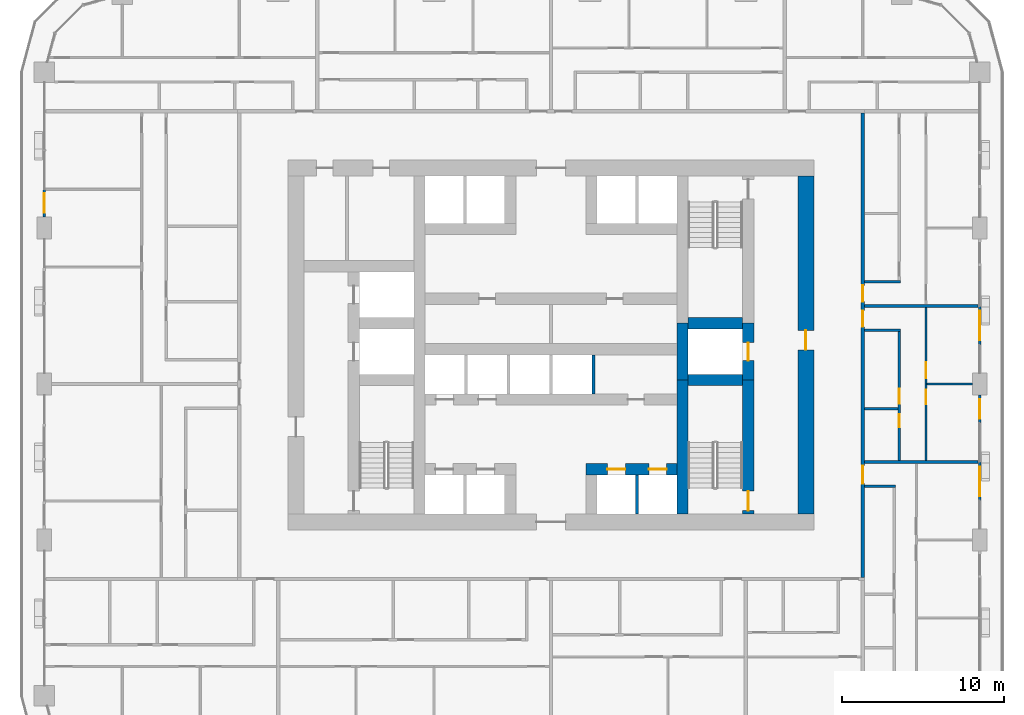
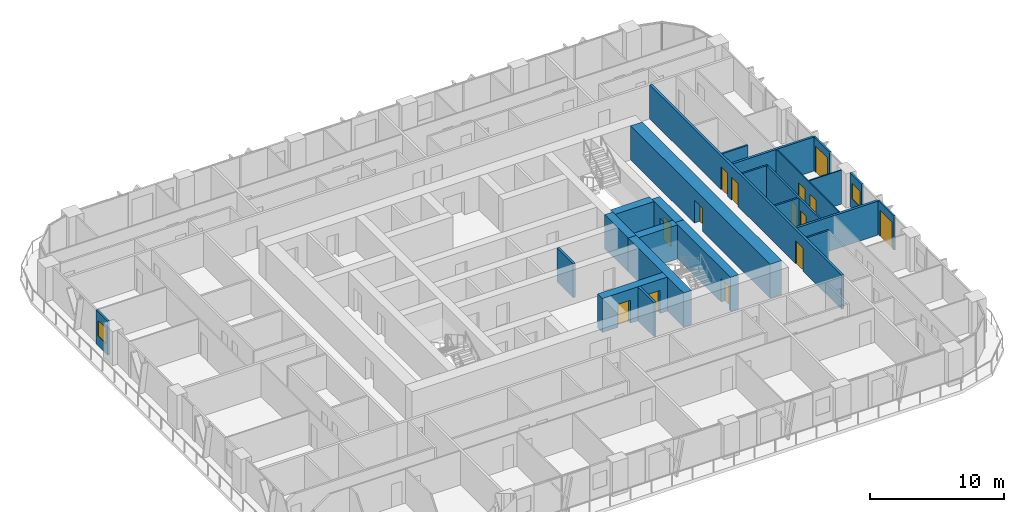
# One storey, part 12 of 21: 24 walls, 14 doors, 2 windows, 16 openings.
"""IFC4 building model written with IfcOpenShell, lengths in metres."""

from ifc_helpers import new_model, si_unit, direction, frame, frame_2d, origin, place, context, subcontext, project, spatial, rectangle, extrude, material, layer, layer_set, type_object, element, fill, save


model = new_model("IFC4")

# Units and contexts
model_context = context("Model", 3, precision=1e-05, world=origin(), true_north=direction((0.0, 1.0)))
body_context = subcontext(model_context, "Body", "Model", "MODEL_VIEW")
ifc_project = project(units=[si_unit("LENGTHUNIT", "METRE"), si_unit("AREAUNIT", "SQUARE_METRE"), si_unit("VOLUMEUNIT", "CUBIC_METRE"), si_unit("PLANEANGLEUNIT", "RADIAN"), si_unit("MASSUNIT", "GRAM", prefix="KILO")], contexts=[model_context])

# Site, building, storey
site_placement = place(None, origin())
site = spatial("IfcSite", under=ifc_project, at=site_placement, CompositionType="ELEMENT")
building_placement = place(site_placement, origin())
building = spatial("IfcBuilding", under=site, at=building_placement, Name="Madar Terraces", CompositionType="ELEMENT")
storey_placement = place(building_placement, frame((0.0, 0.0, 50.39990234375)))
storey = spatial("IfcBuildingStorey", under=building, at=storey_placement, Name="L12", CompositionType="ELEMENT", Elevation=50.39990234375)

# Walls
ifc_material_1 = material(Name="Concrete C80/95", Category="concrete")
ifc_layer_1 = layer(ifc_material_1, 0.699951171875)
ifc_layer_set_1 = layer_set([ifc_layer_1], Name="Concrete C80/95 (CIW1 RC wall 700)")
wall_type_1 = type_object("IfcWallType", Name="CIW1 RC wall 700", PredefinedType="SHEAR", material=ifc_layer_set_1)
wall_1_placement = place(storey_placement, frame((39.300048828125, 16.0, 0.0), z_axis=(0.0, 0.0, 1.0), x_axis=(0.0, 1.0, 0.0)))
element("IfcWall", 1, at=wall_1_placement, inside=storey, type_object=wall_type_1, Name="CORE SHAFT WALL", PredefinedType="SHEAR", context=body_context, shape_type="SweptSolid", body=[
    extrude(rectangle(XDim=8.25, YDim=0.699951171875, at=frame_2d((4.125, 0.0))), origin(), (0.0, 0.0, 1.0), 3.10009765625),
])
wall_2_placement = place(storey_placement, frame((39.300048828125, 24.25, 0.0), z_axis=(0.0, 0.0, 1.0), x_axis=(0.0, 1.0, 0.0)))
element("IfcWall", 2, at=wall_2_placement, inside=storey, type_object=wall_type_1, Name="CORE SHAFT WALL", PredefinedType="SHEAR", context=body_context, shape_type="SweptSolid", body=[
    extrude(rectangle(XDim=3.5, YDim=0.699951171875, at=frame_2d((1.75, 0.0))), origin(), (0.0, 0.0, 1.0), 3.10009765625),
])

# Wall, opening, door
wall_3_placement = place(storey_placement, frame((43.35009765625, 16.0, 0.0), z_axis=(0.0, 0.0, 1.0), x_axis=(0.0, 1.0, 0.0)))
wall_3 = element("IfcWall", 3, at=wall_3_placement, inside=storey, type_object=wall_type_1, Name="CORE SHAFT WALL", PredefinedType="SHEAR", context=body_context, shape_type="SweptSolid", body=[
    extrude(rectangle(XDim=8.25, YDim=0.699951171875, at=frame_2d((4.125, 0.0))), origin(), (0.0, 0.0, 1.0), 3.10009765625),
])
opening_1_placement = place(wall_3_placement, frame((0.199951171875, 0.0, 0.0)))
opening_1 = element("IfcOpeningElement", 4, at=opening_1_placement, cuts=wall_3, Name="Opening SD1", PredefinedType="OPENING", context=body_context, shape_type="SweptSolid", body=[
    extrude(rectangle(XDim=1.199951171875, YDim=2.10009765625, at=frame_2d((0.60009765625, 1.050048828125))), frame((0.0, 0.35986328125, 0.0), z_axis=(0.0, -1.0, 0.0), x_axis=(1.0, 0.0, 0.0)), (0.0, 0.0, 1.0), 0.719970703125),
])
ifc_material_2 = material(Name="Steel door leaf", Category="steel")
door_type_1 = type_object("IfcDoorType", Name="Stair door 1200 x 2100", OperationType="NOTDEFINED", PredefinedType="DOOR", material=ifc_material_2)
door_1_placement = place(opening_1_placement, origin())
door_1 = element("IfcDoor", 5, at=door_1_placement, inside=storey, type_object=door_type_1, Name="STAIR DOOR", OperationType="SINGLE_SWING_LEFT", OverallHeight=2.10009765625, OverallWidth=1.199951171875, PredefinedType="DOOR", context=body_context, shape_type="SweptSolid", body=[
    extrude(rectangle(XDim=1.199951171875, YDim=2.10009765625, at=frame_2d((0.60009765625, 1.050048828125))), frame((0.0, 0.02490234375, 0.0), z_axis=(0.0, -1.0, 0.0), x_axis=(1.0, 0.0, 0.0)), (0.0, 0.0, 1.0), 0.050048828125),
])
fill(opening_1, door_1)

wall_4_placement = place(storey_placement, frame((43.35009765625, 24.25, 0.0), z_axis=(0.0, 0.0, 1.0), x_axis=(0.0, 1.0, 0.0)))
wall_4 = element("IfcWall", 6, at=wall_4_placement, inside=storey, type_object=wall_type_1, Name="CORE SHAFT WALL", PredefinedType="SHEAR", context=body_context, shape_type="SweptSolid", body=[
    extrude(rectangle(XDim=3.5, YDim=0.699951171875, at=frame_2d((1.75, 0.0))), origin(), (0.0, 0.0, 1.0), 3.10009765625),
])
opening_2_placement = place(wall_4_placement, frame((1.199951171875, 0.0, 0.0)))
opening_2 = element("IfcOpeningElement", 7, at=opening_2_placement, cuts=wall_4, Name="Opening LD", PredefinedType="OPENING", context=body_context, shape_type="SweptSolid", body=[
    extrude(rectangle(XDim=1.10009765625, YDim=2.10009765625, at=frame_2d((0.550048828125, 1.050048828125))), frame((0.0, 0.35986328125, 0.0), z_axis=(0.0, -1.0, 0.0), x_axis=(1.0, 0.0, 0.0)), (0.0, 0.0, 1.0), 0.719970703125),
])
ifc_material_3 = material(Name="Stainless steel panel", Category="steel")
door_type_2 = type_object("IfcDoorType", Name="Lift landing door 1100 x 2100", OperationType="DOUBLE_DOOR_SLIDING", PredefinedType="DOOR", material=ifc_material_3)
door_2_placement = place(opening_2_placement, origin())
door_2 = element("IfcDoor", 8, at=door_2_placement, inside=storey, type_object=door_type_2, Name="LIFT LANDING DOOR", OperationType="DOUBLE_DOOR_SLIDING", OverallHeight=2.10009765625, OverallWidth=1.10009765625, PredefinedType="DOOR", context=body_context, shape_type="SweptSolid", body=[
    extrude(rectangle(XDim=1.10009765625, YDim=2.10009765625, at=frame_2d((0.550048828125, 1.050048828125))), frame((0.0, 0.02490234375, 0.0), z_axis=(0.0, -1.0, 0.0), x_axis=(1.0, 0.0, 0.0)), (0.0, 0.0, 1.0), 0.050048828125),
])
fill(opening_2, door_2)

# Walls
for number, where, z_axis, x_axis, name in (
    (9, (39.64990234375, 24.25, 0.0), (0.0, 0.0, 1.0), (1.0, 0.0, 0.0), "CORE SHAFT WALL"),
    (10, (39.64990234375, 27.75, 0.0), (0.0, 0.0, 1.0), (1.0, 0.0, 0.0), "CORE SHAFT WALL"),
):
    element("IfcWall", number, at=place(storey_placement, frame(where, z_axis=z_axis, x_axis=x_axis)), inside=storey, type_object=wall_type_1, Name=name, PredefinedType="SHEAR", context=body_context, shape_type="SweptSolid", body=[
        extrude(rectangle(XDim=3.35009765625, YDim=0.699951171875, at=frame_2d((1.675048828125, 0.0))), origin(), (0.0, 0.0, 1.0), 3.10009765625),
    ])

# Wall, openings, doors
wall_5_placement = place(storey_placement, frame((33.35009765625, 18.75, 0.0), z_axis=(0.0, 0.0, 1.0), x_axis=(1.0, 0.0, 0.0)))
wall_5 = element("IfcWall", 11, at=wall_5_placement, inside=storey, type_object=wall_type_1, Name="CORE SHAFT WALL", PredefinedType="SHEAR", context=body_context, shape_type="SweptSolid", body=[
    extrude(rectangle(XDim=5.599853515625, YDim=0.699951171875, at=frame_2d((2.7998046875, 0.0))), origin(), (0.0, 0.0, 1.0), 3.10009765625),
])
opening_3_placement = place(wall_5_placement, frame((1.324951171875, 0.0, 0.0)))
opening_3 = element("IfcOpeningElement", 12, at=opening_3_placement, cuts=wall_5, Name="Opening LD", PredefinedType="OPENING", context=body_context, shape_type="SweptSolid", body=[
    extrude(rectangle(XDim=1.10009765625, YDim=2.10009765625, at=frame_2d((0.550048828125, 1.050048828125))), frame((0.0, 0.35986328125, 0.0), z_axis=(0.0, -1.0, 0.0), x_axis=(1.0, 0.0, 0.0)), (0.0, 0.0, 1.0), 0.719970703125),
])
opening_4_placement = place(wall_5_placement, frame((3.875, 0.0, 0.0)))
opening_4 = element("IfcOpeningElement", 13, at=opening_4_placement, cuts=wall_5, Name="Opening LD", PredefinedType="OPENING", context=body_context, shape_type="SweptSolid", body=[
    extrude(rectangle(XDim=1.10009765625, YDim=2.10009765625, at=frame_2d((0.550048828125, 1.050048828125))), frame((0.0, 0.35986328125, 0.0), z_axis=(0.0, -1.0, 0.0), x_axis=(1.0, 0.0, 0.0)), (0.0, 0.0, 1.0), 0.719970703125),
])
door_3_placement = place(opening_3_placement, origin())
door_3 = element("IfcDoor", 14, at=door_3_placement, inside=storey, type_object=door_type_2, Name="LIFT LANDING DOOR", OperationType="DOUBLE_DOOR_SLIDING", OverallHeight=2.10009765625, OverallWidth=1.10009765625, PredefinedType="DOOR", context=body_context, shape_type="SweptSolid", body=[
    extrude(rectangle(XDim=1.10009765625, YDim=2.10009765625, at=frame_2d((0.550048828125, 1.050048828125))), frame((0.0, 0.02490234375, 0.0), z_axis=(0.0, -1.0, 0.0), x_axis=(1.0, 0.0, 0.0)), (0.0, 0.0, 1.0), 0.050048828125),
])
fill(opening_3, door_3)
door_4_placement = place(opening_4_placement, origin())
door_4 = element("IfcDoor", 15, at=door_4_placement, inside=storey, type_object=door_type_2, Name="LIFT LANDING DOOR", OperationType="DOUBLE_DOOR_SLIDING", OverallHeight=2.10009765625, OverallWidth=1.10009765625, PredefinedType="DOOR", context=body_context, shape_type="SweptSolid", body=[
    extrude(rectangle(XDim=1.10009765625, YDim=2.10009765625, at=frame_2d((0.550048828125, 1.050048828125))), frame((0.0, 0.02490234375, 0.0), z_axis=(0.0, -1.0, 0.0), x_axis=(1.0, 0.0, 0.0)), (0.0, 0.0, 1.0), 0.050048828125),
])
fill(opening_4, door_4)

# Wall, opening, door
ifc_material_4 = material(Name="Concrete C80/95", Category="concrete")
ifc_layer_2 = layer(ifc_material_4, 1.0)
ifc_layer_set_2 = layer_set([ifc_layer_2], Name="Concrete C80/95 (CRW1 RC wall 1000)")
wall_type_2 = type_object("IfcWallType", Name="CRW1 RC wall 1000", PredefinedType="SHEAR", material=ifc_layer_set_2)
wall_6_placement = place(storey_placement, frame((46.89990234375, 16.0, 0.0), z_axis=(0.0, 0.0, 1.0), x_axis=(0.0, 1.0, 0.0)))
wall_6 = element("IfcWall", 16, at=wall_6_placement, inside=storey, type_object=wall_type_2, Name="CORE OUTER WALL", PredefinedType="SHEAR", context=body_context, shape_type="SweptSolid", body=[
    extrude(rectangle(XDim=20.800048828125, YDim=1.0, at=frame_2d((10.39990234375, 0.0))), origin(), (0.0, 0.0, 1.0), 3.10009765625),
])
opening_5_placement = place(wall_6_placement, frame((10.10009765625, 0.0, 0.0)))
opening_5 = element("IfcOpeningElement", 17, at=opening_5_placement, cuts=wall_6, Name="Opening SD1", PredefinedType="OPENING", context=body_context, shape_type="SweptSolid", body=[
    extrude(rectangle(XDim=1.199951171875, YDim=2.10009765625, at=frame_2d((0.60009765625, 1.050048828125))), frame((0.0, 0.510009765625, 0.0), z_axis=(0.0, -1.0, 0.0), x_axis=(1.0, 0.0, 0.0)), (0.0, 0.0, 1.0), 1.02001953125),
])
door_5_placement = place(opening_5_placement, origin())
door_5 = element("IfcDoor", 18, at=door_5_placement, inside=storey, type_object=door_type_1, Name="STAIR DOOR", OperationType="SINGLE_SWING_RIGHT", OverallHeight=2.10009765625, OverallWidth=1.199951171875, PredefinedType="DOOR", context=body_context, shape_type="SweptSolid", body=[
    extrude(rectangle(XDim=1.199951171875, YDim=2.10009765625, at=frame_2d((0.60009765625, 1.050048828125))), frame((0.0, 0.02490234375, 0.0), z_axis=(0.0, -1.0, 0.0), x_axis=(1.0, 0.0, 0.0)), (0.0, 0.0, 1.0), 0.050048828125),
])
fill(opening_5, door_5)

# Walls
ifc_material_5 = material(Name="Concrete C40/50", Category="concrete")
ifc_layer_3 = layer(ifc_material_5, 0.199951171875)
ifc_layer_set_3 = layer_set([ifc_layer_3], Name="Core shaft dividing wall 200 C40/50")
wall_type_3 = type_object("IfcWallType", Name="Core shaft dividing wall 200 C40/50", PredefinedType="SOLIDWALL", material=ifc_layer_set_3)
wall_7_placement = place(storey_placement, frame((33.816650390625, 23.39990234375, 0.0), z_axis=(0.0, 0.0, 1.0), x_axis=(0.0, 1.0, 0.0)))
element("IfcWall", 19, at=wall_7_placement, inside=storey, type_object=wall_type_3, Name="SHAFT DIVIDING WALL", PredefinedType="SOLIDWALL", context=body_context, shape_type="SweptSolid", body=[
    extrude(rectangle(XDim=2.400146484375, YDim=0.199951171875, at=frame_2d((1.2001953125, 0.0))), origin(), (0.0, 0.0, 1.0), 3.10009765625),
])
wall_8_placement = place(storey_placement, frame((36.5, 16.0, 0.0), z_axis=(0.0, 0.0, 1.0), x_axis=(0.0, 1.0, 0.0)))
element("IfcWall", 20, at=wall_8_placement, inside=storey, type_object=wall_type_3, Name="SHAFT DIVIDING WALL", PredefinedType="SOLIDWALL", context=body_context, shape_type="SweptSolid", body=[
    extrude(rectangle(XDim=2.39990234375, YDim=0.199951171875, at=frame_2d((1.199951171875, 0.0))), origin(), (0.0, 0.0, 1.0), 3.10009765625),
])

# Wall, opening, door
ifc_material_6 = material(Name="Aluminium composite panel, black, over insulated backing", Category="aluminium")
ifc_layer_4 = layer(ifc_material_6, 0.14990234375)
ifc_layer_set_4 = layer_set([ifc_layer_4], Name="Facade bay panel 150")
wall_type_4 = type_object("IfcWallType", Name="Facade bay panel 150", PredefinedType="SOLIDWALL", material=ifc_layer_set_4)
wall_9_placement = place(storey_placement, frame((57.60009765625, 16.800048828125, 0.0), z_axis=(0.0, 0.0, 1.0), x_axis=(0.0, 1.0, 0.0)))
wall_9 = element("IfcWall", 21, at=wall_9_placement, inside=storey, type_object=wall_type_4, Name="Facade bay panel", PredefinedType="SOLIDWALL", context=body_context, shape_type="SweptSolid", body=[
    extrude(rectangle(XDim=2.39990234375, YDim=0.14990234375, at=frame_2d((1.199951171875, 0.0))), origin(), (0.0, 0.0, 1.0), 3.10009765625),
])
opening_6_placement = place(wall_9_placement, frame((0.300048828125, 0.0, 0.0)))
opening_6 = element("IfcOpeningElement", 22, at=opening_6_placement, cuts=wall_9, Name="Opening ED1", PredefinedType="OPENING", context=body_context, shape_type="SweptSolid", body=[
    extrude(rectangle(XDim=1.800048828125, YDim=2.39990234375, at=frame_2d((0.89990234375, 1.199951171875))), frame((0.0, 0.0849609375, 0.0), z_axis=(0.0, -1.0, 0.0), x_axis=(1.0, 0.0, 0.0)), (0.0, 0.0, 1.0), 0.169921875),
])
ifc_material_7 = material(Name="Glass, clear, with black aluminium frame", Category="aluminium")
door_type_3 = type_object("IfcDoorType", Name="Balcony and terrace sliding door 1800 x 2400", OperationType="SLIDING_TO_LEFT", PredefinedType="DOOR", material=ifc_material_7)
door_6_placement = place(opening_6_placement, origin())
door_6 = element("IfcDoor", 23, at=door_6_placement, inside=storey, type_object=door_type_3, Name="Balcony door", OperationType="SLIDING_TO_RIGHT", OverallHeight=2.39990234375, OverallWidth=1.800048828125, PredefinedType="DOOR", context=body_context, shape_type="SweptSolid", body=[
    extrude(rectangle(XDim=1.800048828125, YDim=2.39990234375, at=frame_2d((0.89990234375, 1.199951171875))), frame((0.0, 0.02490234375, 0.0), z_axis=(0.0, -1.0, 0.0), x_axis=(1.0, 0.0, 0.0)), (0.0, 0.0, 1.0), 0.050048828125),
])
fill(opening_6, door_6)

# Wall, opening, window
wall_10_placement = place(storey_placement, frame((57.60009765625, 21.60009765625, 0.0), z_axis=(0.0, 0.0, 1.0), x_axis=(0.0, 1.0, 0.0)))
wall_10 = element("IfcWall", 24, at=wall_10_placement, inside=storey, type_object=wall_type_4, Name="Facade bay panel", PredefinedType="SOLIDWALL", context=body_context, shape_type="SweptSolid", body=[
    extrude(rectangle(XDim=1.724853515625, YDim=0.14990234375, at=frame_2d((0.8623046875, 0.0))), origin(), (0.0, 0.0, 1.0), 3.10009765625),
])
opening_7_placement = place(wall_10_placement, frame((0.262451171875, 0.0, 0.89990234375)))
opening_7 = element("IfcOpeningElement", 25, at=opening_7_placement, cuts=wall_10, Name="Opening W1", PredefinedType="OPENING", context=body_context, shape_type="SweptSolid", body=[
    extrude(rectangle(XDim=1.199951171875, YDim=1.39990234375, at=frame_2d((0.60009765625, 0.699951171875))), frame((0.0, 0.0849609375, 0.0), z_axis=(0.0, -1.0, 0.0), x_axis=(1.0, 0.0, 0.0)), (0.0, 0.0, 1.0), 0.169921875),
])
ifc_material_8 = material(Name="Glass, clear, with black aluminium frame", Category="aluminium")
window_type = type_object("IfcWindowType", Name="Vent window 1200 x 1400", PartitioningType="SINGLE_PANEL", PredefinedType="WINDOW", material=ifc_material_8)
window_1_placement = place(opening_7_placement, origin())
window_1 = element("IfcWindow", 26, at=window_1_placement, inside=storey, type_object=window_type, Name="Operable vent window", OverallHeight=1.39990234375, OverallWidth=1.199951171875, PartitioningType="SINGLE_PANEL", PredefinedType="WINDOW", context=body_context, shape_type="SweptSolid", body=[
    extrude(rectangle(XDim=1.199951171875, YDim=1.39990234375, at=frame_2d((0.60009765625, 0.699951171875))), frame((0.0, 0.030029296875, 0.0), z_axis=(0.0, -1.0, 0.0), x_axis=(1.0, 0.0, 0.0)), (0.0, 0.0, 1.0), 0.06005859375),
])
fill(opening_7, window_1)

# Wall, opening, door
wall_11_placement = place(storey_placement, frame((57.60009765625, 26.39990234375, 0.0), z_axis=(0.0, 0.0, 1.0), x_axis=(0.0, 1.0, 0.0)))
wall_11 = element("IfcWall", 27, at=wall_11_placement, inside=storey, type_object=wall_type_4, Name="Facade bay panel", PredefinedType="SOLIDWALL", context=body_context, shape_type="SweptSolid", body=[
    extrude(rectangle(XDim=2.400146484375, YDim=0.14990234375, at=frame_2d((1.2001953125, 0.0))), origin(), (0.0, 0.0, 1.0), 3.10009765625),
])
opening_8_placement = place(wall_11_placement, frame((0.300048828125, 0.0, 0.0)))
opening_8 = element("IfcOpeningElement", 28, at=opening_8_placement, cuts=wall_11, Name="Opening ED1", PredefinedType="OPENING", context=body_context, shape_type="SweptSolid", body=[
    extrude(rectangle(XDim=1.800048828125, YDim=2.39990234375, at=frame_2d((0.89990234375, 1.199951171875))), frame((0.0, 0.0849609375, 0.0), z_axis=(0.0, -1.0, 0.0), x_axis=(1.0, 0.0, 0.0)), (0.0, 0.0, 1.0), 0.169921875),
])
door_7_placement = place(opening_8_placement, origin())
door_7 = element("IfcDoor", 29, at=door_7_placement, inside=storey, type_object=door_type_3, Name="Balcony door", OperationType="SLIDING_TO_LEFT", OverallHeight=2.39990234375, OverallWidth=1.800048828125, PredefinedType="DOOR", context=body_context, shape_type="SweptSolid", body=[
    extrude(rectangle(XDim=1.800048828125, YDim=2.39990234375, at=frame_2d((0.89990234375, 1.199951171875))), frame((0.0, 0.02490234375, 0.0), z_axis=(0.0, -1.0, 0.0), x_axis=(1.0, 0.0, 0.0)), (0.0, 0.0, 1.0), 0.050048828125),
])
fill(opening_8, door_7)

# Wall, opening, window
wall_12_placement = place(storey_placement, frame((0.0, 36.0, 0.0), z_axis=(0.0, 0.0, 1.0), x_axis=(0.0, -1.0, 0.0)))
wall_12 = element("IfcWall", 30, at=wall_12_placement, inside=storey, type_object=wall_type_4, Name="Facade bay panel", PredefinedType="SOLIDWALL", context=body_context, shape_type="SweptSolid", body=[
    extrude(rectangle(XDim=1.72509765625, YDim=0.14990234375, at=frame_2d((0.862548828125, 0.0))), origin(), (0.0, 0.0, 1.0), 3.10009765625),
])
opening_9_placement = place(wall_12_placement, frame((0.262451171875, 0.0, 0.89990234375)))
opening_9 = element("IfcOpeningElement", 31, at=opening_9_placement, cuts=wall_12, Name="Opening W1", PredefinedType="OPENING", context=body_context, shape_type="SweptSolid", body=[
    extrude(rectangle(XDim=1.199951171875, YDim=1.39990234375, at=frame_2d((0.60009765625, 0.699951171875))), frame((0.0, 0.0849609375, 0.0), z_axis=(0.0, -1.0, 0.0), x_axis=(1.0, 0.0, 0.0)), (0.0, 0.0, 1.0), 0.169921875),
])
window_2_placement = place(opening_9_placement, origin())
window_2 = element("IfcWindow", 32, at=window_2_placement, inside=storey, type_object=window_type, Name="Operable vent window", OverallHeight=1.39990234375, OverallWidth=1.199951171875, PartitioningType="SINGLE_PANEL", PredefinedType="WINDOW", context=body_context, shape_type="SweptSolid", body=[
    extrude(rectangle(XDim=1.199951171875, YDim=1.39990234375, at=frame_2d((0.60009765625, 0.699951171875))), frame((0.0, 0.030029296875, 0.0), z_axis=(0.0, -1.0, 0.0), x_axis=(1.0, 0.0, 0.0)), (0.0, 0.0, 1.0), 0.06005859375),
])
fill(opening_9, window_2)

# Wall
ifc_material_9 = material(Name="Gypsum board on steel studs", Category="steel")
ifc_layer_5 = layer(ifc_material_9, 0.10009765625)
ifc_layer_set_5 = layer_set([ifc_layer_5], Name="Flat partition 100")
wall_type_5 = type_object("IfcWallType", Name="Flat partition 100", PredefinedType="PARTITIONING", material=ifc_layer_set_5)
wall_13_placement = place(storey_placement, frame((54.35009765625, 24.0, 0.0), z_axis=(0.0, 0.0, 1.0), x_axis=(1.0, 0.0, 0.0)))
element("IfcWall", 33, at=wall_13_placement, inside=storey, type_object=wall_type_5, Name="Flat partition 100", PredefinedType="PARTITIONING", context=body_context, shape_type="SweptSolid", body=[
    extrude(rectangle(XDim=2.7998046875, YDim=0.10009765625, at=frame_2d((1.39990234375, 0.0))), origin(), (0.0, 0.0, 1.0), 3.10009765625),
])

# Wall, openings, doors
wall_14_placement = place(storey_placement, frame((54.300048828125, 28.699951171875, 0.0), z_axis=(0.0, 0.0, 1.0), x_axis=(0.0, -1.0, 0.0)))
wall_14 = element("IfcWall", 34, at=wall_14_placement, inside=storey, type_object=wall_type_5, Name="Flat partition 100", PredefinedType="PARTITIONING", context=body_context, shape_type="SweptSolid", body=[
    extrude(rectangle(XDim=9.39990234375, YDim=0.10009765625, at=frame_2d((4.699951171875, 0.0))), origin(), (0.0, 0.0, 1.0), 3.10009765625),
])
opening_10_placement = place(wall_14_placement, frame((3.35009765625, 0.0, 0.0)))
opening_10 = element("IfcOpeningElement", 35, at=opening_10_placement, cuts=wall_14, Name="Opening D3", PredefinedType="OPENING", context=body_context, shape_type="SweptSolid", body=[
    extrude(rectangle(XDim=1.0, YDim=2.10009765625, at=frame_2d((0.5, 1.050048828125))), frame((0.0, 0.06005859375, 0.0), z_axis=(0.0, -1.0, 0.0), x_axis=(1.0, 0.0, 0.0)), (0.0, 0.0, 1.0), 0.1201171875),
])
opening_11_placement = place(wall_14_placement, frame((5.050048828125, 0.0, 0.0)))
opening_11 = element("IfcOpeningElement", 36, at=opening_11_placement, cuts=wall_14, Name="Opening D2", PredefinedType="OPENING", context=body_context, shape_type="SweptSolid", body=[
    extrude(rectangle(XDim=0.89990234375, YDim=2.10009765625, at=frame_2d((0.449951171875, 1.050048828125))), frame((0.0, 0.06005859375, 0.0), z_axis=(0.0, -1.0, 0.0), x_axis=(1.0, 0.0, 0.0)), (0.0, 0.0, 1.0), 0.1201171875),
])
ifc_material_10 = material(Name="Timber door leaf", Category="wood")
door_type_4 = type_object("IfcDoorType", Name="Flat living room door 1000", OperationType="NOTDEFINED", PredefinedType="DOOR", material=ifc_material_10)
door_8_placement = place(opening_10_placement, origin())
door_8 = element("IfcDoor", 37, at=door_8_placement, inside=storey, type_object=door_type_4, Name="Flat living room door 1000", OperationType="SINGLE_SWING_RIGHT", OverallHeight=2.10009765625, OverallWidth=1.0, PredefinedType="DOOR", context=body_context, shape_type="SweptSolid", body=[
    extrude(rectangle(XDim=1.0, YDim=2.10009765625, at=frame_2d((0.5, 1.050048828125))), frame((0.0, 0.02490234375, 0.0), z_axis=(0.0, -1.0, 0.0), x_axis=(1.0, 0.0, 0.0)), (0.0, 0.0, 1.0), 0.050048828125),
])
fill(opening_10, door_8)
ifc_material_11 = material(Name="Timber door leaf", Category="wood")
door_type_5 = type_object("IfcDoorType", Name="Flat room door 900", OperationType="NOTDEFINED", PredefinedType="DOOR", material=ifc_material_11)
door_9_placement = place(opening_11_placement, origin())
door_9 = element("IfcDoor", 38, at=door_9_placement, inside=storey, type_object=door_type_5, Name="Flat room door 900", OperationType="SINGLE_SWING_LEFT", OverallHeight=2.10009765625, OverallWidth=0.89990234375, PredefinedType="DOOR", context=body_context, shape_type="SweptSolid", body=[
    extrude(rectangle(XDim=0.89990234375, YDim=2.10009765625, at=frame_2d((0.449951171875, 1.050048828125))), frame((0.0, 0.02490234375, 0.0), z_axis=(0.0, -1.0, 0.0), x_axis=(1.0, 0.0, 0.0)), (0.0, 0.0, 1.0), 0.050048828125),
])
fill(opening_11, door_9)

ifc_material_12 = material(Name="Lightweight blockwork", Category="masonry")
ifc_layer_6 = layer(ifc_material_12, 0.199951171875)
ifc_layer_set_6 = layer_set([ifc_layer_6], Name="Flat party and entrance wall 200")
wall_type_6 = type_object("IfcWallType", Name="Flat party and entrance wall 200", PredefinedType="PARTITIONING", material=ifc_layer_set_6)
wall_15_placement = place(storey_placement, frame((50.39990234375, 40.699951171875, 0.0), z_axis=(0.0, 0.0, 1.0), x_axis=(0.0, -1.0, 0.0)))
wall_15 = element("IfcWall", 39, at=wall_15_placement, inside=storey, type_object=wall_type_6, Name="Flat party and entrance wall 200", PredefinedType="PARTITIONING", context=body_context, shape_type="SweptSolid", body=[
    extrude(rectangle(XDim=28.599853515625, YDim=0.199951171875, at=frame_2d((14.2998046875, 0.0))), origin(), (0.0, 0.0, 1.0), 3.10009765625),
])
opening_12_placement = place(wall_15_placement, frame((21.72509765625, 0.0, 0.0)))
opening_12 = element("IfcOpeningElement", 40, at=opening_12_placement, cuts=wall_15, Name="Opening D6", PredefinedType="OPENING", context=body_context, shape_type="SweptSolid", body=[
    extrude(rectangle(XDim=1.10009765625, YDim=2.10009765625, at=frame_2d((0.550048828125, 1.050048828125))), frame((0.0, 0.10986328125, 0.0), z_axis=(0.0, -1.0, 0.0), x_axis=(1.0, 0.0, 0.0)), (0.0, 0.0, 1.0), 0.219970703125),
])
opening_13_placement = place(wall_15_placement, frame((12.175048828125, 0.0, 0.0)))
opening_13 = element("IfcOpeningElement", 41, at=opening_13_placement, cuts=wall_15, Name="Opening D1", PredefinedType="OPENING", context=body_context, shape_type="SweptSolid", body=[
    extrude(rectangle(XDim=1.0, YDim=2.10009765625, at=frame_2d((0.5, 1.050048828125))), frame((0.0, 0.10986328125, 0.0), z_axis=(0.0, -1.0, 0.0), x_axis=(1.0, 0.0, 0.0)), (0.0, 0.0, 1.0), 0.219970703125),
])
opening_14_placement = place(wall_15_placement, frame((10.625, 0.0, 0.0)))
opening_14 = element("IfcOpeningElement", 42, at=opening_14_placement, cuts=wall_15, Name="Opening D1", PredefinedType="OPENING", context=body_context, shape_type="SweptSolid", body=[
    extrude(rectangle(XDim=1.0, YDim=2.10009765625, at=frame_2d((0.5, 1.050048828125))), frame((0.0, 0.10986328125, 0.0), z_axis=(0.0, -1.0, 0.0), x_axis=(1.0, 0.0, 0.0)), (0.0, 0.0, 1.0), 0.219970703125),
])
ifc_material_13 = material(Name="Timber fire door leaf", Category="wood")
door_type_6 = type_object("IfcDoorType", Name="Flat entrance door 1000 FD30S", OperationType="NOTDEFINED", PredefinedType="DOOR", material=ifc_material_13)
door_10_placement = place(opening_13_placement, origin())
door_10 = element("IfcDoor", 43, at=door_10_placement, inside=storey, type_object=door_type_6, Name="Flat entrance door 1000 FD30S", OperationType="SINGLE_SWING_LEFT", OverallHeight=2.10009765625, OverallWidth=1.0, PredefinedType="DOOR", context=body_context, shape_type="SweptSolid", body=[
    extrude(rectangle(XDim=1.0, YDim=2.10009765625, at=frame_2d((0.5, 1.050048828125))), frame((0.0, 0.02490234375, 0.0), z_axis=(0.0, -1.0, 0.0), x_axis=(1.0, 0.0, 0.0)), (0.0, 0.0, 1.0), 0.050048828125),
])
fill(opening_13, door_10)
door_11_placement = place(opening_14_placement, origin())
door_11 = element("IfcDoor", 44, at=door_11_placement, inside=storey, type_object=door_type_6, Name="Flat entrance door 1000 FD30S", OperationType="SINGLE_SWING_RIGHT", OverallHeight=2.10009765625, OverallWidth=1.0, PredefinedType="DOOR", context=body_context, shape_type="SweptSolid", body=[
    extrude(rectangle(XDim=1.0, YDim=2.10009765625, at=frame_2d((0.5, 1.050048828125))), frame((0.0, 0.02490234375, 0.0), z_axis=(0.0, -1.0, 0.0), x_axis=(1.0, 0.0, 0.0)), (0.0, 0.0, 1.0), 0.050048828125),
])
fill(opening_14, door_11)
ifc_material_14 = material(Name="Timber fire door leaf", Category="wood")
door_type_7 = type_object("IfcDoorType", Name="Flat entrance door 1100 FD30S", OperationType="NOTDEFINED", PredefinedType="DOOR", material=ifc_material_14)
door_12_placement = place(opening_12_placement, origin())
door_12 = element("IfcDoor", 45, at=door_12_placement, inside=storey, type_object=door_type_7, Name="Flat entrance door 1100 FD30S", OperationType="SINGLE_SWING_LEFT", OverallHeight=2.10009765625, OverallWidth=1.10009765625, PredefinedType="DOOR", context=body_context, shape_type="SweptSolid", body=[
    extrude(rectangle(XDim=1.10009765625, YDim=2.10009765625, at=frame_2d((0.550048828125, 1.050048828125))), frame((0.0, 0.02490234375, 0.0), z_axis=(0.0, -1.0, 0.0), x_axis=(1.0, 0.0, 0.0)), (0.0, 0.0, 1.0), 0.050048828125),
])
fill(opening_12, door_12)

# Walls
for number, where, z_axis, x_axis, name in (
    (46, (50.5, 19.199951171875, 0.0), (0.0, 0.0, 1.0), (1.0, 0.0, 0.0), "Flat party and entrance wall 200"),
    (47, (50.5, 28.800048828125, 0.0), (0.0, 0.0, 1.0), (1.0, 0.0, 0.0), "Flat party and entrance wall 200"),
):
    element("IfcWall", number, at=place(storey_placement, frame(where, z_axis=z_axis, x_axis=x_axis)), inside=storey, type_object=wall_type_6, Name=name, PredefinedType="PARTITIONING", context=body_context, shape_type="SweptSolid", body=[
        extrude(rectangle(XDim=7.0, YDim=0.199951171875, at=frame_2d((3.5, 0.0))), origin(), (0.0, 0.0, 1.0), 3.10009765625),
    ])
ifc_material_15 = material(Name="Lightweight blockwork", Category="masonry")
ifc_layer_7 = layer(ifc_material_15, 0.14990234375)
ifc_layer_set_7 = layer_set([ifc_layer_7], Name="Flat wet-room partition 150")
wall_type_7 = type_object("IfcWallType", Name="Flat wet-room partition 150", PredefinedType="PARTITIONING", material=ifc_layer_set_7)
wall_16_placement = place(storey_placement, frame((50.5, 17.699951171875, 0.0), z_axis=(0.0, 0.0, 1.0), x_axis=(1.0, 0.0, 0.0)))
element("IfcWall", 48, at=wall_16_placement, inside=storey, type_object=wall_type_7, Name="Flat wet-room partition 150", PredefinedType="PARTITIONING", context=body_context, shape_type="SweptSolid", body=[
    extrude(rectangle(XDim=1.925048828125, YDim=0.14990234375, at=frame_2d((0.96240234375, 0.0))), origin(), (0.0, 0.0, 1.0), 3.10009765625),
])
wall_17_placement = place(storey_placement, frame((50.5, 22.469970703125, 0.0), z_axis=(0.0, 0.0, 1.0), x_axis=(1.0, 0.0, 0.0)))
element("IfcWall", 49, at=wall_17_placement, inside=storey, type_object=wall_type_7, Name="Flat wet-room partition 150", PredefinedType="PARTITIONING", context=body_context, shape_type="SweptSolid", body=[
    extrude(rectangle(XDim=2.074951171875, YDim=0.14990234375, at=frame_2d((1.03759765625, 0.0))), origin(), (0.0, 0.0, 1.0), 3.10009765625),
])
wall_18_placement = place(storey_placement, frame((50.5, 27.300048828125, 0.0), z_axis=(0.0, 0.0, 1.0), x_axis=(1.0, 0.0, 0.0)))
element("IfcWall", 50, at=wall_18_placement, inside=storey, type_object=wall_type_7, Name="Flat wet-room partition 150", PredefinedType="PARTITIONING", context=body_context, shape_type="SweptSolid", body=[
    extrude(rectangle(XDim=2.22509765625, YDim=0.14990234375, at=frame_2d((1.112548828125, 0.0))), origin(), (0.0, 0.0, 1.0), 3.10009765625),
])

# Wall, openings, doors
wall_19_placement = place(storey_placement, frame((52.64990234375, 19.300048828125, 0.0), z_axis=(0.0, 0.0, 1.0), x_axis=(0.0, 1.0, 0.0)))
wall_19 = element("IfcWall", 51, at=wall_19_placement, inside=storey, type_object=wall_type_7, Name="Flat wet-room partition 150", PredefinedType="PARTITIONING", context=body_context, shape_type="SweptSolid", body=[
    extrude(rectangle(XDim=7.925048828125, YDim=0.14990234375, at=frame_2d((3.96240234375, 0.0))), origin(), (0.0, 0.0, 1.0), 3.10009765625),
])
opening_15_placement = place(wall_19_placement, frame((3.4951171875, 0.0, 0.0)))
opening_15 = element("IfcOpeningElement", 52, at=opening_15_placement, cuts=wall_19, Name="Opening D2", PredefinedType="OPENING", context=body_context, shape_type="SweptSolid", body=[
    extrude(rectangle(XDim=0.89990234375, YDim=2.10009765625, at=frame_2d((0.449951171875, 1.050048828125))), frame((0.0, 0.0849609375, 0.0), z_axis=(0.0, -1.0, 0.0), x_axis=(1.0, 0.0, 0.0)), (0.0, 0.0, 1.0), 0.169921875),
])
opening_16_placement = place(wall_19_placement, frame((2.044921875, 0.0, 0.0)))
opening_16 = element("IfcOpeningElement", 53, at=opening_16_placement, cuts=wall_19, Name="Opening D4", PredefinedType="OPENING", context=body_context, shape_type="SweptSolid", body=[
    extrude(rectangle(XDim=0.800048828125, YDim=2.10009765625, at=frame_2d((0.39990234375, 1.050048828125))), frame((0.0, 0.0849609375, 0.0), z_axis=(0.0, -1.0, 0.0), x_axis=(1.0, 0.0, 0.0)), (0.0, 0.0, 1.0), 0.169921875),
])
ifc_material_16 = material(Name="Timber door leaf", Category="wood")
door_type_8 = type_object("IfcDoorType", Name="Flat bathroom door 800", OperationType="NOTDEFINED", PredefinedType="DOOR", material=ifc_material_16)
door_13_placement = place(opening_16_placement, origin())
door_13 = element("IfcDoor", 54, at=door_13_placement, inside=storey, type_object=door_type_8, Name="Flat bathroom door 800", OperationType="SINGLE_SWING_RIGHT", OverallHeight=2.10009765625, OverallWidth=0.800048828125, PredefinedType="DOOR", context=body_context, shape_type="SweptSolid", body=[
    extrude(rectangle(XDim=0.800048828125, YDim=2.10009765625, at=frame_2d((0.39990234375, 1.050048828125))), frame((0.0, 0.02490234375, 0.0), z_axis=(0.0, -1.0, 0.0), x_axis=(1.0, 0.0, 0.0)), (0.0, 0.0, 1.0), 0.050048828125),
])
fill(opening_16, door_13)
door_14_placement = place(opening_15_placement, origin())
door_14 = element("IfcDoor", 55, at=door_14_placement, inside=storey, type_object=door_type_5, Name="Flat room door 900", OperationType="SINGLE_SWING_LEFT", OverallHeight=2.10009765625, OverallWidth=0.89990234375, PredefinedType="DOOR", context=body_context, shape_type="SweptSolid", body=[
    extrude(rectangle(XDim=0.89990234375, YDim=2.10009765625, at=frame_2d((0.449951171875, 1.050048828125))), frame((0.0, 0.02490234375, 0.0), z_axis=(0.0, -1.0, 0.0), x_axis=(1.0, 0.0, 0.0)), (0.0, 0.0, 1.0), 0.050048828125),
])
fill(opening_15, door_14)

# Wall
wall_20_placement = place(storey_placement, frame((50.5, 30.300048828125, 0.0), z_axis=(0.0, 0.0, 1.0), x_axis=(1.0, 0.0, 0.0)))
element("IfcWall", 56, at=wall_20_placement, inside=storey, type_object=wall_type_7, Name="Flat wet-room partition 150", PredefinedType="PARTITIONING", context=body_context, shape_type="SweptSolid", body=[
    extrude(rectangle(XDim=2.22509765625, YDim=0.14990234375, at=frame_2d((1.112548828125, 0.0))), origin(), (0.0, 0.0, 1.0), 3.10009765625),
])

save(model, "model.ifc")
